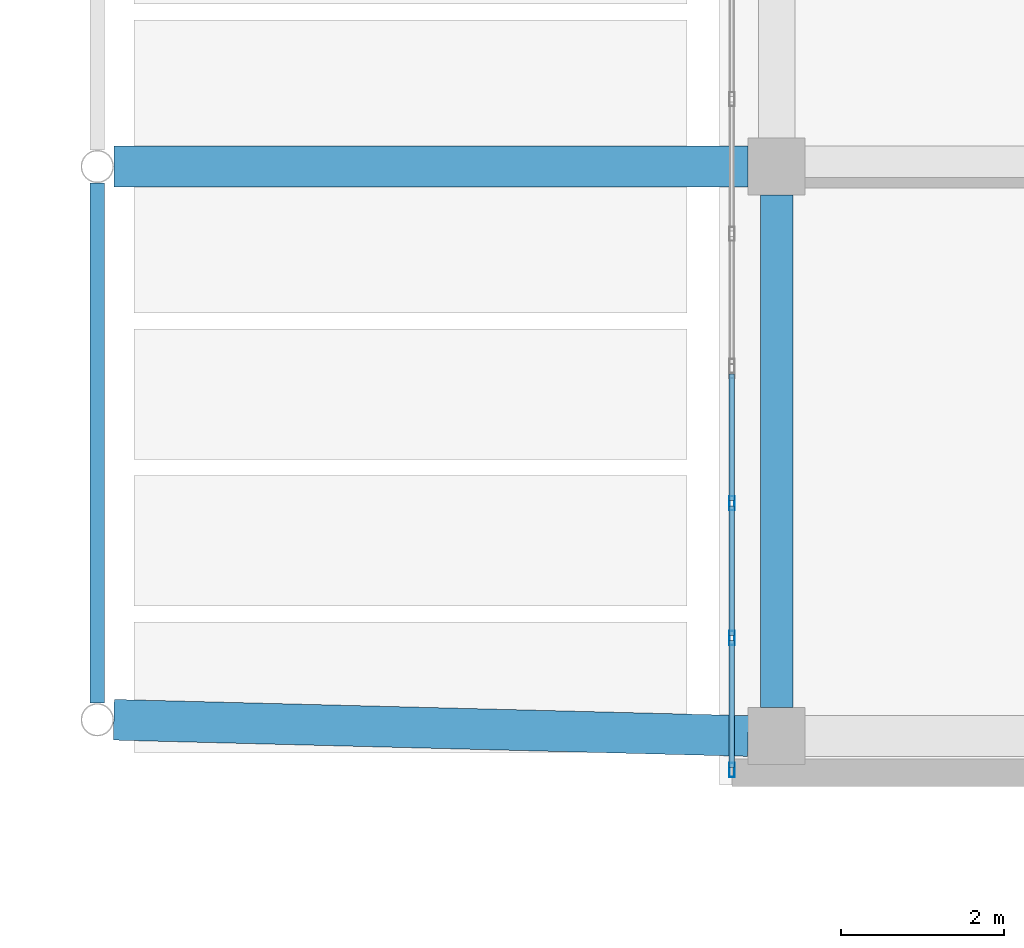
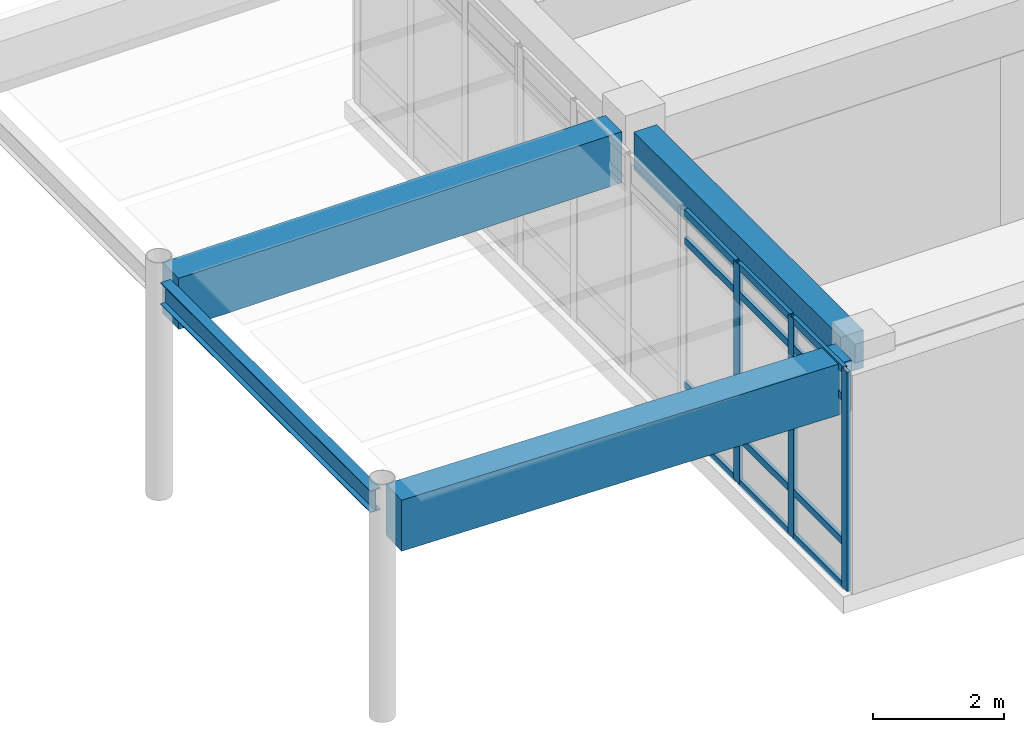
# One storey, part 14 of 142: 15 members, 4 beams, 1 element without a shape of its own.
"""IFC4 building model written with IfcOpenShell, lengths in metres."""

from ifc_helpers import new_model, si_unit, direction, frame, origin, origin_2d, place, context, subcontext, project, spatial, rectangle, hollow_rectangle, i_section, extrude, material, layer, layer_set, material_profile, profile_set, type_object, element, aggregate, save


model = new_model("IFC4")

# Units and contexts
model_context = context("Model", 3, precision=1e-05, world=origin(), true_north=direction((0.0, 1.0)))
body_context = subcontext(model_context, "Body", "Model", "MODEL_VIEW")
ifc_project = project(units=[si_unit("LENGTHUNIT", "METRE"), si_unit("AREAUNIT", "SQUARE_METRE"), si_unit("VOLUMEUNIT", "CUBIC_METRE"), si_unit("PLANEANGLEUNIT", "RADIAN"), si_unit("MASSUNIT", "GRAM", prefix="KILO")], contexts=[model_context])

# Site, building, storey
site_placement = place(None, origin())
site = spatial("IfcSite", under=ifc_project, at=site_placement, CompositionType="ELEMENT")
building_placement = place(site_placement, origin())
building = spatial("IfcBuilding", under=site, at=building_placement, Name="Valcora Specialist Clinic", CompositionType="ELEMENT")
storey_placement = place(building_placement, frame((0.0, 0.0, 5.10009765625)))
storey = spatial("IfcBuildingStorey", under=building, at=storey_placement, Name="L01", CompositionType="ELEMENT", Elevation=5.10009765625)

# Beams
ifc_material_1 = material(Name="Steel ASTM A992 Grade 50", Category="steel")
ifc_material_profile_1 = material_profile(ifc_material_1, i_section(OverallWidth=0.177978515625, OverallDepth=0.406005859375, WebThickness=0.008056640625, FlangeThickness=0.012939453125, at=origin_2d()), Name="ST-IR-410X180")
ifc_profile_set_1 = profile_set([ifc_material_profile_1], Name="Steel ASTM A992 Grade 50")
beam_type_1 = type_object("IfcBeamType", Name="TY-BM-IR410", PredefinedType="SPANDREL", material=ifc_profile_set_1)
beam_1_placement = place(storey_placement, frame((0.75, 8.60302734375, 3.867919921875), z_axis=(0.0, 1.0, 0.0), x_axis=(-1.0, 0.0, 0.0)))
element("IfcBeam", 1, at=beam_1_placement, inside=storey, type_object=beam_type_1, Name="Beam BM-L01-0960", PredefinedType="SPANDREL", context=body_context, shape_type="SweptSolid", body=[
    extrude(i_section(OverallWidth=0.177978515625, OverallDepth=0.406005859375, WebThickness=0.008056640625, FlangeThickness=0.012939453125, at=origin_2d()), origin(), (0.0, 0.0, 1.0), 6.39404296875),
])
ifc_material_2 = material(Name="Concrete C40/50", Category="concrete")
ifc_material_profile_2 = material_profile(ifc_material_2, rectangle(XDim=0.39990234375, YDim=0.699951171875, at=origin_2d()), Name="RC-BM-400X700")
ifc_profile_set_2 = profile_set([ifc_material_profile_2], Name="Concrete C40/50")
beam_type_2 = type_object("IfcBeamType", Name="TY-BM-RC400X700", PredefinedType="BEAM", material=ifc_profile_set_2)
beam_2_placement = place(storey_placement, frame((9.10009765625, 8.550048828125, 3.724853515625), z_axis=(0.0, 1.0, 0.0), x_axis=(-1.0, 0.0, 0.0)))
element("IfcBeam", 2, at=beam_2_placement, inside=storey, type_object=beam_type_2, Name="Beam BM-L01-0962", PredefinedType="BEAM", context=body_context, shape_type="SweptSolid", body=[
    extrude(rectangle(XDim=0.39990234375, YDim=0.699951171875, at=origin_2d()), origin(), (0.0, 0.0, 1.0), 6.300048828125),
])
ifc_material_profile_3 = material_profile(ifc_material_2, rectangle(XDim=0.5, YDim=0.949951171875, at=origin_2d()), Name="RC-BM-500X950")
ifc_profile_set_3 = profile_set([ifc_material_profile_3], Name="Concrete C40/50")
beam_type_3 = type_object("IfcBeamType", Name="TY-BM-TR500X950", PredefinedType="BEAM", material=ifc_profile_set_3)
beam_3_placement = place(storey_placement, frame((0.952880859375, 8.39990234375, 3.599853515625), z_axis=(0.999671348641, -0.025635809078, 0.0), x_axis=(0.025635809078, 0.999671348641, 0.0)))
element("IfcBeam", 3, at=beam_3_placement, inside=storey, type_object=beam_type_3, Name="Beam BM-L01-0939", PredefinedType="BEAM", context=body_context, shape_type="SweptSolid", body=[
    extrude(rectangle(XDim=0.5, YDim=0.949951171875, at=origin_2d()), origin(), (0.0, 0.0, 1.0), 7.799560546875),
])
beam_4_placement = place(storey_placement, frame((0.952880859375, 15.199951171875, 3.599853515625), z_axis=(1.0, 0.0, 0.0), x_axis=(0.0, 1.0, 0.0)))
element("IfcBeam", 4, at=beam_4_placement, inside=storey, type_object=beam_type_3, Name="Beam BM-L01-0946", PredefinedType="BEAM", context=body_context, shape_type="SweptSolid", body=[
    extrude(rectangle(XDim=0.5, YDim=0.949951171875, at=origin_2d()), origin(), (0.0, 0.0, 1.0), 7.797119140625),
])

# Curtain wall, members
ifc_material_3 = material(Name="Anodized Bronze Aluminium 6063-T6", Category="aluminium")
ifc_layer = layer(ifc_material_3, 0.175048828125)
ifc_layer_set = layer_set([ifc_layer], Name="Anodized Bronze Aluminium 6063-T6")
curtain_wall_type = type_object("IfcCurtainWallType", Name="TY-CW-V5F15", PredefinedType="NOTDEFINED", material=ifc_layer_set)
curtain_wall_placement = place(storey_placement, origin())
curtain_wall = element("IfcCurtainWall", 5, at=curtain_wall_placement, inside=storey, type_object=curtain_wall_type, Name="Curtain wall CW-L01-137", PredefinedType="NOTDEFINED")
ifc_material_profile_4 = material_profile(ifc_material_3, hollow_rectangle(XDim=0.06494140625, YDim=0.175048828125, WallThickness=0.00390625, at=origin_2d()), Name="AL-MUL-65X175")
ifc_profile_set_4 = profile_set([ifc_material_profile_4], Name="Anodized Bronze Aluminium 6063-T6")
member_type_1 = type_object("IfcMemberType", Name="TY-CWM-65X175", PredefinedType="MULLION", material=ifc_profile_set_4)
member_1_placement = place(storey_placement, frame((8.550048828125, 7.782470703125, 0.0), z_axis=(0.0, 0.0, 1.0), x_axis=(-1.0, 0.0, 0.0)))
member_1 = element("IfcMember", 6, at=member_1_placement, type_object=member_type_1, Name="CW-V5F-15 mullion 1", PredefinedType="MULLION", context=body_context, shape_type="SweptSolid", body=[
    extrude(hollow_rectangle(XDim=0.06494140625, YDim=0.175048828125, WallThickness=0.00390625, at=origin_2d()), origin(), (0.0, 0.0, 1.0), 4.074951171875),
])
member_2_placement = place(storey_placement, frame((8.550048828125, 9.405517578125, 0.0), z_axis=(0.0, 0.0, 1.0), x_axis=(-1.0, 0.0, 0.0)))
member_2 = element("IfcMember", 7, at=member_2_placement, type_object=member_type_1, Name="CW-V5F-15 mullion 2", PredefinedType="MULLION", context=body_context, shape_type="SweptSolid", body=[
    extrude(hollow_rectangle(XDim=0.06494140625, YDim=0.175048828125, WallThickness=0.00390625, at=origin_2d()), origin(), (0.0, 0.0, 1.0), 4.074951171875),
])
member_3_placement = place(storey_placement, frame((8.550048828125, 11.06103515625, 0.0), z_axis=(0.0, 0.0, 1.0), x_axis=(-1.0, 0.0, 0.0)))
member_3 = element("IfcMember", 8, at=member_3_placement, type_object=member_type_1, Name="CW-V5F-15 mullion 3", PredefinedType="MULLION", context=body_context, shape_type="SweptSolid", body=[
    extrude(hollow_rectangle(XDim=0.06494140625, YDim=0.175048828125, WallThickness=0.00390625, at=origin_2d()), origin(), (0.0, 0.0, 1.0), 4.074951171875),
])
ifc_material_profile_5 = material_profile(ifc_material_3, hollow_rectangle(XDim=0.06494140625, YDim=0.1298828125, WallThickness=0.00390625, at=origin_2d()), Name="AL-TRN-65X130")
ifc_profile_set_5 = profile_set([ifc_material_profile_5], Name="Anodized Bronze Aluminium 6063-T6")
member_type_2 = type_object("IfcMemberType", Name="TY-CWT-65X130", PredefinedType="USERDEFINED", material=ifc_profile_set_5)
member_4_placement = place(storey_placement, frame((8.550048828125, 7.81494140625, 0.032470703125), z_axis=(0.0, 1.0, 0.0), x_axis=(-1.0, 0.0, 0.0)))
member_4 = element("IfcMember", 9, at=member_4_placement, type_object=member_type_2, Name="CW-V5F-15 transom 1.1", ObjectType="TRANSOM", PredefinedType="USERDEFINED", context=body_context, shape_type="SweptSolid", body=[
    extrude(hollow_rectangle(XDim=0.06494140625, YDim=0.1298828125, WallThickness=0.00390625, at=origin_2d()), origin(), (0.0, 0.0, 1.0), 1.55810546875),
])
member_5_placement = place(storey_placement, frame((8.550048828125, 7.81494140625, 0.849853515625), z_axis=(0.0, 1.0, 0.0), x_axis=(-1.0, 0.0, 0.0)))
member_5 = element("IfcMember", 10, at=member_5_placement, type_object=member_type_2, Name="CW-V5F-15 transom 1.2", ObjectType="TRANSOM", PredefinedType="USERDEFINED", context=body_context, shape_type="SweptSolid", body=[
    extrude(hollow_rectangle(XDim=0.06494140625, YDim=0.1298828125, WallThickness=0.00390625, at=origin_2d()), origin(), (0.0, 0.0, 1.0), 1.55810546875),
])
member_6_placement = place(storey_placement, frame((8.550048828125, 7.81494140625, 3.52490234375), z_axis=(0.0, 1.0, 0.0), x_axis=(-1.0, 0.0, 0.0)))
member_6 = element("IfcMember", 11, at=member_6_placement, type_object=member_type_2, Name="CW-V5F-15 transom 1.3", ObjectType="TRANSOM", PredefinedType="USERDEFINED", context=body_context, shape_type="SweptSolid", body=[
    extrude(hollow_rectangle(XDim=0.06494140625, YDim=0.1298828125, WallThickness=0.00390625, at=origin_2d()), origin(), (0.0, 0.0, 1.0), 1.55810546875),
])
member_7_placement = place(storey_placement, frame((8.550048828125, 7.81494140625, 4.04248046875), z_axis=(0.0, 1.0, 0.0), x_axis=(-1.0, 0.0, 0.0)))
member_7 = element("IfcMember", 12, at=member_7_placement, type_object=member_type_2, Name="CW-V5F-15 transom 1.4", ObjectType="TRANSOM", PredefinedType="USERDEFINED", context=body_context, shape_type="SweptSolid", body=[
    extrude(hollow_rectangle(XDim=0.06494140625, YDim=0.1298828125, WallThickness=0.00390625, at=origin_2d()), origin(), (0.0, 0.0, 1.0), 1.55810546875),
])
member_8_placement = place(storey_placement, frame((8.550048828125, 9.43798828125, 0.032470703125), z_axis=(0.0, 1.0, 0.0), x_axis=(-1.0, 0.0, 0.0)))
member_8 = element("IfcMember", 13, at=member_8_placement, type_object=member_type_2, Name="CW-V5F-15 transom 2.1", ObjectType="TRANSOM", PredefinedType="USERDEFINED", context=body_context, shape_type="SweptSolid", body=[
    extrude(hollow_rectangle(XDim=0.06494140625, YDim=0.1298828125, WallThickness=0.00390625, at=origin_2d()), origin(), (0.0, 0.0, 1.0), 1.590576171875),
])
member_9_placement = place(storey_placement, frame((8.550048828125, 9.43798828125, 0.849853515625), z_axis=(0.0, 1.0, 0.0), x_axis=(-1.0, 0.0, 0.0)))
member_9 = element("IfcMember", 14, at=member_9_placement, type_object=member_type_2, Name="CW-V5F-15 transom 2.2", ObjectType="TRANSOM", PredefinedType="USERDEFINED", context=body_context, shape_type="SweptSolid", body=[
    extrude(hollow_rectangle(XDim=0.06494140625, YDim=0.1298828125, WallThickness=0.00390625, at=origin_2d()), origin(), (0.0, 0.0, 1.0), 1.590576171875),
])
member_10_placement = place(storey_placement, frame((8.550048828125, 9.43798828125, 3.52490234375), z_axis=(0.0, 1.0, 0.0), x_axis=(-1.0, 0.0, 0.0)))
member_10 = element("IfcMember", 15, at=member_10_placement, type_object=member_type_2, Name="CW-V5F-15 transom 2.3", ObjectType="TRANSOM", PredefinedType="USERDEFINED", context=body_context, shape_type="SweptSolid", body=[
    extrude(hollow_rectangle(XDim=0.06494140625, YDim=0.1298828125, WallThickness=0.00390625, at=origin_2d()), origin(), (0.0, 0.0, 1.0), 1.590576171875),
])
member_11_placement = place(storey_placement, frame((8.550048828125, 9.43798828125, 4.04248046875), z_axis=(0.0, 1.0, 0.0), x_axis=(-1.0, 0.0, 0.0)))
member_11 = element("IfcMember", 16, at=member_11_placement, type_object=member_type_2, Name="CW-V5F-15 transom 2.4", ObjectType="TRANSOM", PredefinedType="USERDEFINED", context=body_context, shape_type="SweptSolid", body=[
    extrude(hollow_rectangle(XDim=0.06494140625, YDim=0.1298828125, WallThickness=0.00390625, at=origin_2d()), origin(), (0.0, 0.0, 1.0), 1.590576171875),
])
member_12_placement = place(storey_placement, frame((8.550048828125, 11.09375, 0.032470703125), z_axis=(0.0, 1.0, 0.0), x_axis=(-1.0, 0.0, 0.0)))
member_12 = element("IfcMember", 17, at=member_12_placement, type_object=member_type_2, Name="CW-V5F-15 transom 3.1", ObjectType="TRANSOM", PredefinedType="USERDEFINED", context=body_context, shape_type="SweptSolid", body=[
    extrude(hollow_rectangle(XDim=0.06494140625, YDim=0.1298828125, WallThickness=0.00390625, at=origin_2d()), origin(), (0.0, 0.0, 1.0), 1.557861328125),
])
member_13_placement = place(storey_placement, frame((8.550048828125, 11.09375, 0.849853515625), z_axis=(0.0, 1.0, 0.0), x_axis=(-1.0, 0.0, 0.0)))
member_13 = element("IfcMember", 18, at=member_13_placement, type_object=member_type_2, Name="CW-V5F-15 transom 3.2", ObjectType="TRANSOM", PredefinedType="USERDEFINED", context=body_context, shape_type="SweptSolid", body=[
    extrude(hollow_rectangle(XDim=0.06494140625, YDim=0.1298828125, WallThickness=0.00390625, at=origin_2d()), origin(), (0.0, 0.0, 1.0), 1.557861328125),
])
member_14_placement = place(storey_placement, frame((8.550048828125, 11.09375, 3.52490234375), z_axis=(0.0, 1.0, 0.0), x_axis=(-1.0, 0.0, 0.0)))
member_14 = element("IfcMember", 19, at=member_14_placement, type_object=member_type_2, Name="CW-V5F-15 transom 3.3", ObjectType="TRANSOM", PredefinedType="USERDEFINED", context=body_context, shape_type="SweptSolid", body=[
    extrude(hollow_rectangle(XDim=0.06494140625, YDim=0.1298828125, WallThickness=0.00390625, at=origin_2d()), origin(), (0.0, 0.0, 1.0), 1.557861328125),
])
member_15_placement = place(storey_placement, frame((8.550048828125, 11.09375, 4.04248046875), z_axis=(0.0, 1.0, 0.0), x_axis=(-1.0, 0.0, 0.0)))
member_15 = element("IfcMember", 20, at=member_15_placement, type_object=member_type_2, Name="CW-V5F-15 transom 3.4", ObjectType="TRANSOM", PredefinedType="USERDEFINED", context=body_context, shape_type="SweptSolid", body=[
    extrude(hollow_rectangle(XDim=0.06494140625, YDim=0.1298828125, WallThickness=0.00390625, at=origin_2d()), origin(), (0.0, 0.0, 1.0), 1.557861328125),
])
aggregate(curtain_wall, [member_1, member_2, member_3, member_4, member_5, member_6, member_7, member_8, member_9, member_10, member_11, member_12, member_13, member_14, member_15])

save(model, "model.ifc")
